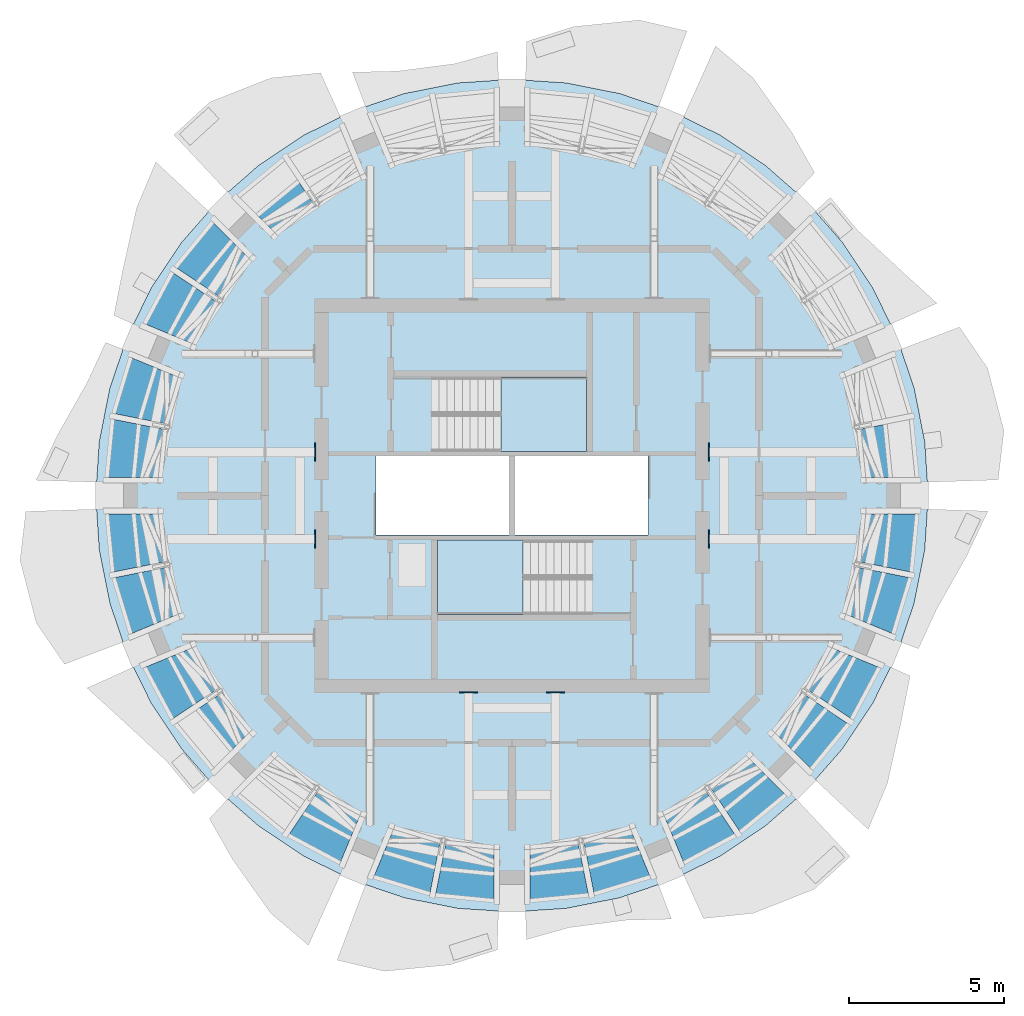
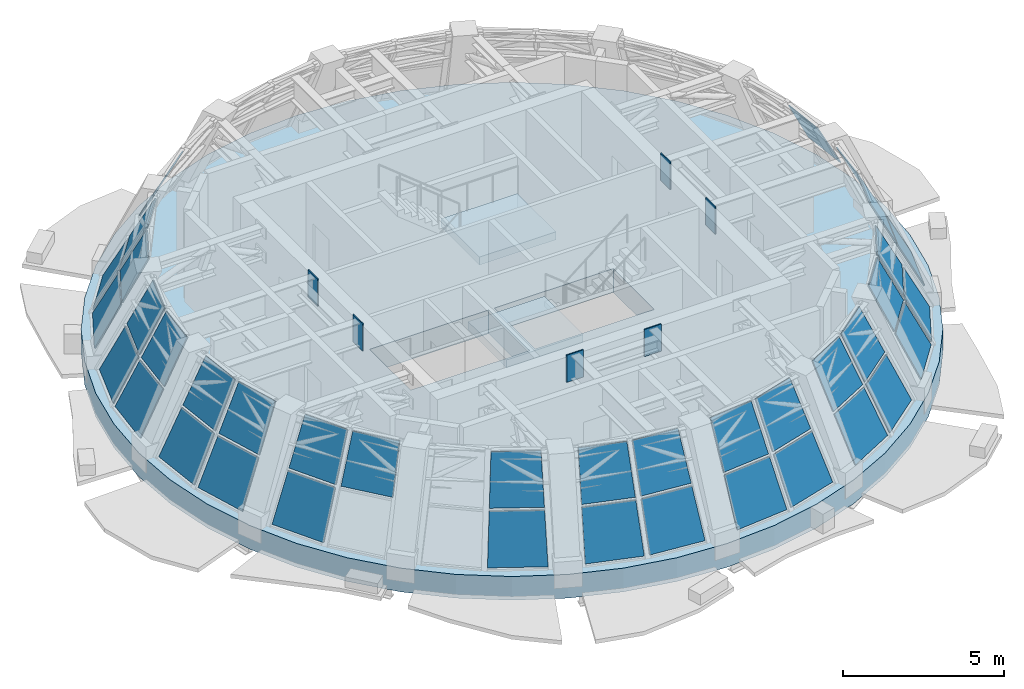
# One storey, part 7 of 12: 45 plates, 3 slabs, 14 elements without a shape of their own.
"""IFC4 building model written with IfcOpenShell, lengths in metres."""

from ifc_helpers import new_model, si_unit, direction, frame, origin, origin_2d, place, context, subcontext, project, spatial, polyline, rectangle, outline, extrude, material, layer, layer_set, type_object, element, aggregate, save


model = new_model("IFC4")

# Units and contexts
model_context = context("Model", 3, precision=1e-05, world=origin(), true_north=direction((0.0, 1.0)))
body_context = subcontext(model_context, "Body", "Model", "MODEL_VIEW")
ifc_project = project(units=[si_unit("LENGTHUNIT", "METRE"), si_unit("AREAUNIT", "SQUARE_METRE"), si_unit("VOLUMEUNIT", "CUBIC_METRE"), si_unit("PLANEANGLEUNIT", "RADIAN"), si_unit("MASSUNIT", "GRAM", prefix="KILO")], contexts=[model_context])

# Site, building, storey
site_placement = place(None, origin())
site = spatial("IfcSite", under=ifc_project, at=site_placement, CompositionType="ELEMENT")
building_placement = place(site_placement, origin())
building = spatial("IfcBuilding", under=site, at=building_placement, Name="Polderwave Tower", CompositionType="ELEMENT")
storey_placement = place(building_placement, frame((0.0, 0.0, 235.39990234375)))
storey = spatial("IfcBuildingStorey", under=building, at=storey_placement, Name="L64", CompositionType="ELEMENT", Elevation=235.39990234375)

# Plates
ifc_material_1 = material(Name="Steel S355", Category="steel")
ifc_layer_1 = layer(ifc_material_1, 0.0400390625)
ifc_layer_set_1 = layer_set([ifc_layer_1], Name="CAST-IN PLATE 40")
plate_type_1 = type_object("IfcPlateType", Name="CAST-IN PLATE 40", PredefinedType="SHEET", material=ifc_layer_set_1)
for number, where, z_axis, x_axis, name in (
    (1, (6.330078125, -1.39990234375, 2.43017578125), (0.0, 0.0, 1.0), (1.0, 0.0, 0.0), "Cast-in plate CP-DS-1-1 40"),
    (2, (6.330078125, 1.39990234375, 2.43017578125), (0.0, 0.0, 1.0), (1.0, 0.0, 0.0), "Cast-in plate CP-DS-1-2 40"),
    (3, (-6.330078125, 1.39990234375, 2.43017578125), (0.0, 0.0, 1.0), (-1.0, 0.0, 0.0), "Cast-in plate CP-DS-3-1 40"),
    (4, (-6.330078125, -1.39990234375, 2.43017578125), (0.0, 0.0, 1.0), (-1.0, 0.0, 0.0), "Cast-in plate CP-DS-3-2 40"),
    (5, (-1.39990234375, -6.330078125, 2.43017578125), (0.0, 0.0, 1.0), (0.0, -1.0, 0.0), "Cast-in plate CP-DS-4-1 40"),
    (6, (1.39990234375, -6.330078125, 2.43017578125), (0.0, 0.0, 1.0), (0.0, -1.0, 0.0), "Cast-in plate CP-DS-4-2 40"),
):
    element("IfcPlate", number, at=place(storey_placement, frame(where, z_axis=z_axis, x_axis=x_axis)), inside=storey, type_object=plate_type_1, Name=name, PredefinedType="SHEET", context=body_context, shape_type="SweptSolid", body=[
        extrude(rectangle(XDim=0.0400390625, YDim=0.60009765625, at=origin_2d()), origin(), (0.0, 0.0, 1.0), 1.030029296875),
    ])

# Curtain wall, plate
ifc_material_2 = material(Name="Aluminium 6063-T6 and glass", Category="aluminium")
curtain_wall_type = type_object("IfcCurtainWallType", Name="Crown facet glazing wall", PredefinedType="NOTDEFINED", material=ifc_material_2)
curtain_wall_1_placement = place(storey_placement, origin())
curtain_wall_1 = element("IfcCurtainWall", 7, at=curtain_wall_1_placement, inside=storey, type_object=curtain_wall_type, Name="CROWN CW6 L64 00", PredefinedType="NOTDEFINED")
ifc_material_3 = material(Name="Glass, low-e laminated double glazing", Category="glass")
ifc_layer_2 = layer(ifc_material_3, 0.0400390625)
ifc_layer_set_2 = layer_set([ifc_layer_2], Name="Crown facet glazing glass panel 40 mm")
plate_type_2 = type_object("IfcPlateType", Name="Crown facet glazing glass panel 40 mm", PredefinedType="CURTAIN_PANEL", material=ifc_layer_set_2)
plate_1_placement = place(storey_placement, frame((12.15771484375, 0.583984375, 1.739990234375), z_axis=(0.883954415034, 0.087028185763, 0.459402532671), x_axis=(-0.097991967269, 0.995187205388, 2.4151206e-05)))
plate_1 = element("IfcPlate", 8, at=plate_1_placement, type_object=plate_type_2, Name="CROWN CW6 panel 2", PredefinedType="CURTAIN_PANEL", context=body_context, shape_type="SweptSolid", body=[
    extrude(outline(polyline([(0.0, 0.0), (1.7157851025220294, 0.0), (1.635119535343941, 1.7791405389208705), (0.08051789172352956, 1.7789545992694515), (0.0, 0.0)])), origin(), (0.0, 0.0, -1.0), 0.0400390625),
])
aggregate(curtain_wall_1, [plate_1])

curtain_wall_2_placement = place(storey_placement, origin())
curtain_wall_2 = element("IfcCurtainWall", 9, at=curtain_wall_2_placement, inside=storey, type_object=curtain_wall_type, Name="CROWN CW6 L64 05", PredefinedType="NOTDEFINED")
plate_2_placement = place(storey_placement, frame((-6.85791015625, 10.097900390625, 1.739990234375), z_axis=(-0.563601634084, 0.686391961849, 0.459585979734), x_axis=(-0.772859616268, -0.634577034153, -3.5612988e-05)))
plate_2 = element("IfcPlate", 10, at=plate_2_placement, type_object=plate_type_2, Name="CROWN CW6 panel 4", PredefinedType="CURTAIN_PANEL", context=body_context, shape_type="SweptSolid", body=[
    extrude(outline(polyline([(0.0, 0.0), (1.7148839594572038, 0.0), (1.6344779456166028, 1.779165769711965), (0.08077183386171753, 1.779034703507517), (0.0, 0.0)])), origin(), (0.0, 0.0, -1.0), 0.0400390625),
])
aggregate(curtain_wall_2, [plate_2])

# Curtain wall, plates
curtain_wall_3_placement = place(storey_placement, origin())
curtain_wall_3 = element("IfcCurtainWall", 11, at=curtain_wall_3_placement, inside=storey, type_object=curtain_wall_type, Name="CROWN CW6 L64 06", PredefinedType="NOTDEFINED")
plate_3_placement = place(storey_placement, frame((-9.6201171875, 8.793701171875, 0.080078125), z_axis=(-0.686398662579, 0.563593472313, 0.459585981048), x_axis=(-0.634569207591, -0.772866042559, 3.2205409e-05)))
plate_3 = element("IfcPlate", 12, at=plate_3_placement, type_object=plate_type_2, Name="CROWN CW6 panel 1", PredefinedType="CURTAIN_PANEL", context=body_context, shape_type="SweptSolid", body=[
    extrude(outline(polyline([(0.0, 0.0), (1.884187342147213, 1.1102230246251565e-16), (1.8034184027212457, 1.7790348349818563), (0.08040891128703725, 1.7791656388283779), (0.0, 0.0)])), origin(), (0.0, 0.0, -1.0), 0.0400390625),
])
plate_4_placement = place(storey_placement, frame((-9.009765625, 8.183349609375, 1.739990234375), z_axis=(-0.686391961849, 0.563601634084, 0.459585979734), x_axis=(-0.634577034153, -0.772859616268, 3.5612988e-05)))
plate_4 = element("IfcPlate", 13, at=plate_4_placement, type_object=plate_type_2, Name="CROWN CW6 panel 2", PredefinedType="CURTAIN_PANEL", context=body_context, shape_type="SweptSolid", body=[
    extrude(outline(polyline([(0.0, 0.0), (1.7148839594572038, 0.0), (1.634112125595486, 1.779034703507517), (0.08040601384060099, 1.779165769711965), (0.0, 0.0)])), origin(), (0.0, 0.0, -1.0), 0.0400390625),
])
plate_5_placement = place(storey_placement, frame((-10.91796875, 7.184326171875, 0.080078125), z_axis=(-0.783284372409, 0.418649889511, 0.459562685553), x_axis=(-0.471380955154, -0.881929699563, -1.2107912e-05)))
plate_5 = element("IfcPlate", 14, at=plate_5_placement, type_object=plate_type_2, Name="CROWN CW6 panel 3", PredefinedType="CURTAIN_PANEL", context=body_context, shape_type="SweptSolid", body=[
    extrude(outline(polyline([(0.0, 0.0), (1.8846515357497926, 5.551115123125783e-17), (1.8039488461659687, 1.778825787119907), (0.0804014486219184, 1.779051485393799), (0.0, 0.0)])), origin(), (0.0, 0.0, -1.0), 0.0400390625),
])
plate_6_placement = place(storey_placement, frame((-10.2001953125, 6.704833984375, 1.739990234375), z_axis=(-0.783220217637, 0.41880064982, 0.459534662887), x_axis=(-0.471535084325, -0.881847302101, 5.24834e-06)))
plate_6 = element("IfcPlate", 15, at=plate_6_placement, type_object=plate_type_2, Name="CROWN CW6 panel 4", PredefinedType="CURTAIN_PANEL", context=body_context, shape_type="SweptSolid", body=[
    extrude(outline(polyline([(0.0, 0.0), (1.7153617231902898, -5.551115123125783e-17), (1.6345435757042492, 1.7790373793332153), (0.08028598851199208, 1.7790567002635866), (0.0, 0.0)])), origin(), (0.0, 0.0, -1.0), 0.0400390625),
])
aggregate(curtain_wall_3, [plate_3, plate_4, plate_5, plate_6])

curtain_wall_4_placement = place(storey_placement, origin())
curtain_wall_4 = element("IfcCurtainWall", 16, at=curtain_wall_4_placement, inside=storey, type_object=curtain_wall_type, Name="CROWN CW6 L64 07", PredefinedType="NOTDEFINED")
plate_7_placement = place(storey_placement, frame((-12.25341796875, 4.443115234375, 0.080078125), z_axis=(-0.849908343607, 0.25783398541, 0.459540469856), x_axis=(-0.290300799063, -0.956935445082, 3.064597e-06)))
plate_7 = element("IfcPlate", 17, at=plate_7_placement, type_object=plate_type_2, Name="CROWN CW6 panel 1", PredefinedType="CURTAIN_PANEL", context=body_context, shape_type="SweptSolid", body=[
    extrude(outline(polyline([(0.0, 0.0), (1.883858670992548, 2.7755575615628914e-17), (1.8034714113692176, 1.7790468336591347), (0.08033461123179575, 1.7790592796453093), (0.0, 0.0)])), origin(), (0.0, 0.0, -1.0), 0.0400390625),
])
plate_8_placement = place(storey_placement, frame((-11.4560546875, 4.113037109375, 1.739990234375), z_axis=(-0.849964812061, 0.25781805234, 0.459444958778), x_axis=(-0.290241526966, -0.956953422647, 5.3940491e-05)))
plate_8 = element("IfcPlate", 18, at=plate_8_placement, type_object=plate_type_2, Name="CROWN CW6 panel 2", PredefinedType="CURTAIN_PANEL", context=body_context, shape_type="SweptSolid", body=[
    extrude(outline(polyline([(0.0, 0.0), (1.714881137447886, -2.7755575615628914e-17), (1.6344621444287317, 1.7791296982581255), (0.08046563732093255, 1.7790533468918674), (0.0, 0.0)])), origin(), (0.0, 0.0, -1.0), 0.0400390625),
])
plate_9_placement = place(storey_placement, frame((-12.836181640625, 2.459716796875, 0.080078125), z_axis=(-0.883894891291, 0.086795959004, 0.459560967284), x_axis=(-0.097742042329, -0.995211782647, -2.9007669e-05)))
plate_9 = element("IfcPlate", 19, at=plate_9_placement, type_object=plate_type_2, Name="CROWN CW6 panel 3", PredefinedType="CURTAIN_PANEL", context=body_context, shape_type="SweptSolid", body=[
    extrude(outline(polyline([(0.0, 0.0), (1.8847674238372056, -1.3877787807814457e-17), (1.8044232634215231, 1.7788583484237588), (0.08059630178165893, 1.7790153762987813), (0.0, 0.0)])), origin(), (0.0, 0.0, -1.0), 0.0400390625),
])
plate_10_placement = place(storey_placement, frame((-11.989501953125, 2.29150390625, 1.739990234375), z_axis=(-0.883870113035, 0.087019870387, 0.459566279705), x_axis=(-0.097991962437, -0.995187205863, -2.4164632e-05)))
plate_10 = element("IfcPlate", 20, at=plate_10_placement, type_object=plate_type_2, Name="CROWN CW6 panel 4", PredefinedType="CURTAIN_PANEL", context=body_context, shape_type="SweptSolid", body=[
    extrude(outline(polyline([(0.0, 0.0), (1.7157851025210837, -1.3877787807814457e-17), (1.635243275633983, 1.7788494112783537), (0.08064163201082405, 1.779035319229905), (0.0, 0.0)])), origin(), (0.0, 0.0, -1.0), 0.0400390625),
])
aggregate(curtain_wall_4, [plate_7, plate_8, plate_9, plate_10])

curtain_wall_5_placement = place(storey_placement, origin())
curtain_wall_5 = element("IfcCurtainWall", 21, at=curtain_wall_5_placement, inside=storey, type_object=curtain_wall_type, Name="CROWN CW6 L64 08", PredefinedType="NOTDEFINED")
plate_11_placement = place(storey_placement, frame((-13.0205078125, -0.583984375, 0.080078125), z_axis=(-0.883979196046, -0.086804251602, 0.459397216864), x_axis=(0.097742044101, -0.995211782474, 2.8993647e-05)))
plate_11 = element("IfcPlate", 22, at=plate_11_placement, type_object=plate_type_2, Name="CROWN CW6 panel 1", PredefinedType="CURTAIN_PANEL", context=body_context, shape_type="SweptSolid", body=[
    extrude(outline(polyline([(0.0, 0.0), (1.88476742383816, 1.3877787807814457e-17), (1.8041472456302867, 1.7791206004409728), (0.08032028399320461, 1.778963530574836), (0.0, 0.0)])), origin(), (0.0, 0.0, -1.0), 0.0400390625),
])
plate_12_placement = place(storey_placement, frame((-12.15771484375, -0.583984375, 1.739990234375), z_axis=(-0.883954415034, -0.087028185763, 0.459402532671), x_axis=(0.097991967269, -0.995187205388, 2.4151206e-05)))
plate_12 = element("IfcPlate", 23, at=plate_12_placement, type_object=plate_type_2, Name="CROWN CW6 panel 2", PredefinedType="CURTAIN_PANEL", context=body_context, shape_type="SweptSolid", body=[
    extrude(outline(polyline([(0.0, 0.0), (1.7157851025220294, 0.0), (1.635119535343941, 1.7791405389208705), (0.08051789172352956, 1.7789545992694515), (0.0, 0.0)])), origin(), (0.0, 0.0, -1.0), 0.0400390625),
])
plate_13_placement = place(storey_placement, frame((-12.80029296875, -2.640380859375, 0.080078125), z_axis=(-0.849834146821, -0.257843989798, 0.459672056821), x_axis=(0.290327239265, -0.956927423496, -1.7367038e-05)))
plate_13 = element("IfcPlate", 24, at=plate_13_placement, type_object=plate_type_2, Name="CROWN CW6 panel 3", PredefinedType="CURTAIN_PANEL", context=body_context, shape_type="SweptSolid", body=[
    extrude(outline(polyline([(0.0, 0.0), (1.8838586696898987, -5.551115123125783e-17), (1.8035949338426587, 1.7789498352742303), (0.0804581299084255, 1.7791542042628368), (0.0, 0.0)])), origin(), (0.0, 0.0, -1.0), 0.0400390625),
])
plate_14_placement = place(storey_placement, frame((-11.95361328125, -2.471923828125, 1.739990234375), z_axis=(-0.849951494095, -0.257691708644, 0.459540467186), x_axis=(0.290142041035, -0.956983592348, -1.64901e-07)))
plate_14 = element("IfcPlate", 25, at=plate_14_placement, type_object=plate_type_2, Name="CROWN CW6 panel 4", PredefinedType="CURTAIN_PANEL", context=body_context, shape_type="SweptSolid", body=[
    extrude(outline(polyline([(0.0, 0.0), (1.7148811492663976, 0.0), (1.6344154888629905, 1.7790533572400653), (0.08025621289179957, 1.7790527502893385), (0.0, 0.0)])), origin(), (0.0, 0.0, -1.0), 0.0400390625),
])
aggregate(curtain_wall_5, [plate_11, plate_12, plate_13, plate_14])

curtain_wall_6_placement = place(storey_placement, origin())
curtain_wall_6 = element("IfcCurtainWall", 26, at=curtain_wall_6_placement, inside=storey, type_object=curtain_wall_type, Name="CROWN CW6 L64 09", PredefinedType="NOTDEFINED")
plate_15_placement = place(storey_placement, frame((-11.806396484375, -5.522216796875, 0.080078125), z_axis=(-0.783326056023, -0.418707429209, 0.459439200201), x_axis=(0.4714053119, -0.881916680819, -2.181884e-06)))
plate_15 = element("IfcPlate", 27, at=plate_15_placement, type_object=plate_type_2, Name="CROWN CW6 panel 1", PredefinedType="CURTAIN_PANEL", context=body_context, shape_type="SweptSolid", body=[
    extrude(outline(polyline([(0.0, 0.0), (1.8846515363826488, 0.0), (1.8041349982427501, 1.7789525519547347), (0.08058760254317152, 1.7789436884205614), (0.0, 0.0)])), origin(), (0.0, 0.0, -1.0), 0.0400390625),
])
plate_16_placement = place(storey_placement, frame((-11.009033203125, -5.192138671875, 1.739990234375), z_axis=(-0.783289613539, -0.418834323299, 0.459385666895), x_axis=(0.471532714121, -0.881848569483, -3.856099e-06)))
plate_16 = element("IfcPlate", 28, at=plate_16_placement, type_object=plate_type_2, Name="CROWN CW6 panel 2", PredefinedType="CURTAIN_PANEL", context=body_context, shape_type="SweptSolid", body=[
    extrude(outline(polyline([(0.0, 0.0), (1.7153617232417329, 0.0), (1.6349606159429435, 1.7791746229543697), (0.08091832481942067, 1.7788855696995238), (0.0, 0.0)])), origin(), (0.0, 0.0, -1.0), 0.0400390625),
])
plate_17_placement = place(storey_placement, frame((-10.097900390625, -6.85791015625, 1.739990234375), z_axis=(-0.686391961849, -0.563601634084, 0.459585979734), x_axis=(0.634577034153, -0.772859616268, -3.5612988e-05)))
plate_17 = element("IfcPlate", 29, at=plate_17_placement, type_object=plate_type_2, Name="CROWN CW6 panel 4", PredefinedType="CURTAIN_PANEL", context=body_context, shape_type="SweptSolid", body=[
    extrude(outline(polyline([(0.0, 0.0), (1.7148839594572038, 0.0), (1.6344779456166028, 1.779165769711965), (0.08077183386171753, 1.779034703507517), (0.0, 0.0)])), origin(), (0.0, 0.0, -1.0), 0.0400390625),
])
aggregate(curtain_wall_6, [plate_15, plate_16, plate_17])

curtain_wall_7_placement = place(storey_placement, origin())
curtain_wall_7 = element("IfcCurtainWall", 30, at=curtain_wall_7_placement, inside=storey, type_object=curtain_wall_type, Name="CROWN CW6 L64 10", PredefinedType="NOTDEFINED")
plate_18_placement = place(storey_placement, frame((-7.184326171875, -10.91796875, 0.080078125), z_axis=(-0.418649889511, -0.783284372409, 0.459562685553), x_axis=(0.881929699563, -0.471380955154, -1.2107912e-05)))
plate_18 = element("IfcPlate", 31, at=plate_18_placement, type_object=plate_type_2, Name="CROWN CW6 panel 3", PredefinedType="CURTAIN_PANEL", context=body_context, shape_type="SweptSolid", body=[
    extrude(outline(polyline([(0.0, 0.0), (1.8846515357497926, 5.551115123125783e-17), (1.8039488461659687, 1.778825787119907), (0.0804014486219184, 1.779051485393799), (0.0, 0.0)])), origin(), (0.0, 0.0, -1.0), 0.0400390625),
])
plate_19_placement = place(storey_placement, frame((-6.704833984375, -10.2001953125, 1.739990234375), z_axis=(-0.41880064982, -0.783220217637, 0.459534662887), x_axis=(0.881847302101, -0.471535084325, 5.24834e-06)))
plate_19 = element("IfcPlate", 32, at=plate_19_placement, type_object=plate_type_2, Name="CROWN CW6 panel 4", PredefinedType="CURTAIN_PANEL", context=body_context, shape_type="SweptSolid", body=[
    extrude(outline(polyline([(0.0, 0.0), (1.7153617231902898, -5.551115123125783e-17), (1.6345435757042492, 1.7790373793332153), (0.08028598851199208, 1.7790567002635866), (0.0, 0.0)])), origin(), (0.0, 0.0, -1.0), 0.0400390625),
])
aggregate(curtain_wall_7, [plate_18, plate_19])

curtain_wall_8_placement = place(storey_placement, origin())
curtain_wall_8 = element("IfcCurtainWall", 33, at=curtain_wall_8_placement, inside=storey, type_object=curtain_wall_type, Name="CROWN CW6 L64 11", PredefinedType="NOTDEFINED")
plate_20_placement = place(storey_placement, frame((-4.443115234375, -12.25341796875, 0.080078125), z_axis=(-0.25783398541, -0.849908343607, 0.459540469856), x_axis=(0.956935445082, -0.290300799063, 3.064597e-06)))
plate_20 = element("IfcPlate", 34, at=plate_20_placement, type_object=plate_type_2, Name="CROWN CW6 panel 1", PredefinedType="CURTAIN_PANEL", context=body_context, shape_type="SweptSolid", body=[
    extrude(outline(polyline([(0.0, 0.0), (1.883858670992548, 2.7755575615628914e-17), (1.8034714113692176, 1.7790468336591347), (0.08033461123179575, 1.7790592796453093), (0.0, 0.0)])), origin(), (0.0, 0.0, -1.0), 0.0400390625),
])
plate_21_placement = place(storey_placement, frame((-4.113037109375, -11.4560546875, 1.739990234375), z_axis=(-0.25781805234, -0.849964812061, 0.459444958778), x_axis=(0.956953422647, -0.290241526966, 5.3940491e-05)))
plate_21 = element("IfcPlate", 35, at=plate_21_placement, type_object=plate_type_2, Name="CROWN CW6 panel 2", PredefinedType="CURTAIN_PANEL", context=body_context, shape_type="SweptSolid", body=[
    extrude(outline(polyline([(0.0, 0.0), (1.714881137447886, -2.7755575615628914e-17), (1.6344621444287317, 1.7791296982581255), (0.08046563732093255, 1.7790533468918674), (0.0, 0.0)])), origin(), (0.0, 0.0, -1.0), 0.0400390625),
])
plate_22_placement = place(storey_placement, frame((-2.459716796875, -12.836181640625, 0.080078125), z_axis=(-0.086795959004, -0.883894891291, 0.459560967284), x_axis=(0.995211782647, -0.097742042329, -2.9007669e-05)))
plate_22 = element("IfcPlate", 36, at=plate_22_placement, type_object=plate_type_2, Name="CROWN CW6 panel 3", PredefinedType="CURTAIN_PANEL", context=body_context, shape_type="SweptSolid", body=[
    extrude(outline(polyline([(0.0, 0.0), (1.8847674238372056, -1.3877787807814457e-17), (1.8044232634215231, 1.7788583484237588), (0.08059630178165893, 1.7790153762987813), (0.0, 0.0)])), origin(), (0.0, 0.0, -1.0), 0.0400390625),
])
plate_23_placement = place(storey_placement, frame((-2.29150390625, -11.989501953125, 1.739990234375), z_axis=(-0.087019870387, -0.883870113035, 0.459566279705), x_axis=(0.995187205863, -0.097991962437, -2.4164632e-05)))
plate_23 = element("IfcPlate", 37, at=plate_23_placement, type_object=plate_type_2, Name="CROWN CW6 panel 4", PredefinedType="CURTAIN_PANEL", context=body_context, shape_type="SweptSolid", body=[
    extrude(outline(polyline([(0.0, 0.0), (1.7157851025210837, -1.3877787807814457e-17), (1.635243275633983, 1.7788494112783537), (0.08064163201082405, 1.779035319229905), (0.0, 0.0)])), origin(), (0.0, 0.0, -1.0), 0.0400390625),
])
aggregate(curtain_wall_8, [plate_20, plate_21, plate_22, plate_23])

curtain_wall_9_placement = place(storey_placement, origin())
curtain_wall_9 = element("IfcCurtainWall", 38, at=curtain_wall_9_placement, inside=storey, type_object=curtain_wall_type, Name="CROWN CW6 L64 12", PredefinedType="NOTDEFINED")
plate_24_placement = place(storey_placement, frame((0.583984375, -13.0205078125, 0.080078125), z_axis=(0.086804251602, -0.883979196046, 0.459397216864), x_axis=(0.995211782474, 0.097742044101, 2.8993647e-05)))
plate_24 = element("IfcPlate", 39, at=plate_24_placement, type_object=plate_type_2, Name="CROWN CW6 panel 1", PredefinedType="CURTAIN_PANEL", context=body_context, shape_type="SweptSolid", body=[
    extrude(outline(polyline([(0.0, 0.0), (1.88476742383816, 1.3877787807814457e-17), (1.8041472456302867, 1.7791206004409728), (0.08032028399320461, 1.778963530574836), (0.0, 0.0)])), origin(), (0.0, 0.0, -1.0), 0.0400390625),
])
plate_25_placement = place(storey_placement, frame((0.583984375, -12.15771484375, 1.739990234375), z_axis=(0.087028185763, -0.883954415034, 0.459402532671), x_axis=(0.995187205388, 0.097991967269, 2.4151206e-05)))
plate_25 = element("IfcPlate", 40, at=plate_25_placement, type_object=plate_type_2, Name="CROWN CW6 panel 2", PredefinedType="CURTAIN_PANEL", context=body_context, shape_type="SweptSolid", body=[
    extrude(outline(polyline([(0.0, 0.0), (1.7157851025220294, 0.0), (1.635119535343941, 1.7791405389208705), (0.08051789172352956, 1.7789545992694515), (0.0, 0.0)])), origin(), (0.0, 0.0, -1.0), 0.0400390625),
])
plate_26_placement = place(storey_placement, frame((2.640380859375, -12.80029296875, 0.080078125), z_axis=(0.257843989798, -0.849834146821, 0.459672056821), x_axis=(0.956927423496, 0.290327239265, -1.7367038e-05)))
plate_26 = element("IfcPlate", 41, at=plate_26_placement, type_object=plate_type_2, Name="CROWN CW6 panel 3", PredefinedType="CURTAIN_PANEL", context=body_context, shape_type="SweptSolid", body=[
    extrude(outline(polyline([(0.0, 0.0), (1.8838586696898987, -5.551115123125783e-17), (1.8035949338426587, 1.7789498352742303), (0.0804581299084255, 1.7791542042628368), (0.0, 0.0)])), origin(), (0.0, 0.0, -1.0), 0.0400390625),
])
plate_27_placement = place(storey_placement, frame((2.471923828125, -11.95361328125, 1.739990234375), z_axis=(0.257691708644, -0.849951494095, 0.459540467186), x_axis=(0.956983592348, 0.290142041035, -1.64901e-07)))
plate_27 = element("IfcPlate", 42, at=plate_27_placement, type_object=plate_type_2, Name="CROWN CW6 panel 4", PredefinedType="CURTAIN_PANEL", context=body_context, shape_type="SweptSolid", body=[
    extrude(outline(polyline([(0.0, 0.0), (1.7148811492663976, 0.0), (1.6344154888629905, 1.7790533572400653), (0.08025621289179957, 1.7790527502893385), (0.0, 0.0)])), origin(), (0.0, 0.0, -1.0), 0.0400390625),
])
aggregate(curtain_wall_9, [plate_24, plate_25, plate_26, plate_27])

curtain_wall_10_placement = place(storey_placement, origin())
curtain_wall_10 = element("IfcCurtainWall", 43, at=curtain_wall_10_placement, inside=storey, type_object=curtain_wall_type, Name="CROWN CW6 L64 13", PredefinedType="NOTDEFINED")
plate_28_placement = place(storey_placement, frame((5.522216796875, -11.806396484375, 0.080078125), z_axis=(0.418707429209, -0.783326056023, 0.459439200201), x_axis=(0.881916680819, 0.4714053119, -2.181884e-06)))
plate_28 = element("IfcPlate", 44, at=plate_28_placement, type_object=plate_type_2, Name="CROWN CW6 panel 1", PredefinedType="CURTAIN_PANEL", context=body_context, shape_type="SweptSolid", body=[
    extrude(outline(polyline([(0.0, 0.0), (1.8846515363826488, 0.0), (1.8041349982427501, 1.7789525519547347), (0.08058760254317152, 1.7789436884205614), (0.0, 0.0)])), origin(), (0.0, 0.0, -1.0), 0.0400390625),
])
plate_29_placement = place(storey_placement, frame((5.192138671875, -11.009033203125, 1.739990234375), z_axis=(0.418834323299, -0.783289613539, 0.459385666895), x_axis=(0.881848569483, 0.471532714121, -3.856099e-06)))
plate_29 = element("IfcPlate", 45, at=plate_29_placement, type_object=plate_type_2, Name="CROWN CW6 panel 2", PredefinedType="CURTAIN_PANEL", context=body_context, shape_type="SweptSolid", body=[
    extrude(outline(polyline([(0.0, 0.0), (1.7153617232417329, 0.0), (1.6349606159429435, 1.7791746229543697), (0.08091832481942067, 1.7788855696995238), (0.0, 0.0)])), origin(), (0.0, 0.0, -1.0), 0.0400390625),
])
plate_30_placement = place(storey_placement, frame((7.33740234375, -10.815673828125, 0.080078125), z_axis=(0.563593472313, -0.686398662579, 0.459585981048), x_axis=(0.772866042559, 0.634569207591, -3.2205409e-05)))
plate_30 = element("IfcPlate", 46, at=plate_30_placement, type_object=plate_type_2, Name="CROWN CW6 panel 3", PredefinedType="CURTAIN_PANEL", context=body_context, shape_type="SweptSolid", body=[
    extrude(outline(polyline([(0.0, 0.0), (1.884187342147213, -1.1102230246251565e-16), (1.8037784308601756, 1.7791656388283776), (0.08076893942596736, 1.7790348349818563), (0.0, 0.0)])), origin(), (0.0, 0.0, -1.0), 0.0400390625),
])
plate_31_placement = place(storey_placement, frame((6.85791015625, -10.097900390625, 1.739990234375), z_axis=(0.563601634084, -0.686391961849, 0.459585979734), x_axis=(0.772859616268, 0.634577034153, -3.5612988e-05)))
plate_31 = element("IfcPlate", 47, at=plate_31_placement, type_object=plate_type_2, Name="CROWN CW6 panel 4", PredefinedType="CURTAIN_PANEL", context=body_context, shape_type="SweptSolid", body=[
    extrude(outline(polyline([(0.0, 0.0), (1.7148839594572038, 0.0), (1.6344779456166028, 1.779165769711965), (0.08077183386171753, 1.779034703507517), (0.0, 0.0)])), origin(), (0.0, 0.0, -1.0), 0.0400390625),
])
aggregate(curtain_wall_10, [plate_28, plate_29, plate_30, plate_31])

curtain_wall_11_placement = place(storey_placement, origin())
curtain_wall_11 = element("IfcCurtainWall", 48, at=curtain_wall_11_placement, inside=storey, type_object=curtain_wall_type, Name="CROWN CW6 L64 14", PredefinedType="NOTDEFINED")
plate_32_placement = place(storey_placement, frame((9.6201171875, -8.793701171875, 0.080078125), z_axis=(0.686398662579, -0.563593472313, 0.459585981048), x_axis=(0.634569207591, 0.772866042559, 3.2205409e-05)))
plate_32 = element("IfcPlate", 49, at=plate_32_placement, type_object=plate_type_2, Name="CROWN CW6 panel 1", PredefinedType="CURTAIN_PANEL", context=body_context, shape_type="SweptSolid", body=[
    extrude(outline(polyline([(0.0, 0.0), (1.884187342147213, 1.1102230246251565e-16), (1.8034184027212457, 1.7790348349818563), (0.08040891128703725, 1.7791656388283779), (0.0, 0.0)])), origin(), (0.0, 0.0, -1.0), 0.0400390625),
])
plate_33_placement = place(storey_placement, frame((9.009765625, -8.183349609375, 1.739990234375), z_axis=(0.686391961849, -0.563601634084, 0.459585979734), x_axis=(0.634577034153, 0.772859616268, 3.5612988e-05)))
plate_33 = element("IfcPlate", 50, at=plate_33_placement, type_object=plate_type_2, Name="CROWN CW6 panel 2", PredefinedType="CURTAIN_PANEL", context=body_context, shape_type="SweptSolid", body=[
    extrude(outline(polyline([(0.0, 0.0), (1.7148839594572038, 0.0), (1.634112125595486, 1.779034703507517), (0.08040601384060099, 1.779165769711965), (0.0, 0.0)])), origin(), (0.0, 0.0, -1.0), 0.0400390625),
])
plate_34_placement = place(storey_placement, frame((10.91796875, -7.184326171875, 0.080078125), z_axis=(0.783284372409, -0.418649889511, 0.459562685553), x_axis=(0.471380955154, 0.881929699563, -1.2107912e-05)))
plate_34 = element("IfcPlate", 51, at=plate_34_placement, type_object=plate_type_2, Name="CROWN CW6 panel 3", PredefinedType="CURTAIN_PANEL", context=body_context, shape_type="SweptSolid", body=[
    extrude(outline(polyline([(0.0, 0.0), (1.8846515357497926, 5.551115123125783e-17), (1.8039488461659687, 1.778825787119907), (0.0804014486219184, 1.779051485393799), (0.0, 0.0)])), origin(), (0.0, 0.0, -1.0), 0.0400390625),
])
plate_35_placement = place(storey_placement, frame((10.2001953125, -6.704833984375, 1.739990234375), z_axis=(0.783220217637, -0.41880064982, 0.459534662887), x_axis=(0.471535084325, 0.881847302101, 5.24834e-06)))
plate_35 = element("IfcPlate", 52, at=plate_35_placement, type_object=plate_type_2, Name="CROWN CW6 panel 4", PredefinedType="CURTAIN_PANEL", context=body_context, shape_type="SweptSolid", body=[
    extrude(outline(polyline([(0.0, 0.0), (1.7153617231902898, -5.551115123125783e-17), (1.6345435757042492, 1.7790373793332153), (0.08028598851199208, 1.7790567002635866), (0.0, 0.0)])), origin(), (0.0, 0.0, -1.0), 0.0400390625),
])
aggregate(curtain_wall_11, [plate_32, plate_33, plate_34, plate_35])

curtain_wall_12_placement = place(storey_placement, origin())
curtain_wall_12 = element("IfcCurtainWall", 53, at=curtain_wall_12_placement, inside=storey, type_object=curtain_wall_type, Name="CROWN CW6 L64 15", PredefinedType="NOTDEFINED")
plate_36_placement = place(storey_placement, frame((12.25341796875, -4.443115234375, 0.080078125), z_axis=(0.849908343607, -0.25783398541, 0.459540469856), x_axis=(0.290300799063, 0.956935445082, 3.064597e-06)))
plate_36 = element("IfcPlate", 54, at=plate_36_placement, type_object=plate_type_2, Name="CROWN CW6 panel 1", PredefinedType="CURTAIN_PANEL", context=body_context, shape_type="SweptSolid", body=[
    extrude(outline(polyline([(0.0, 0.0), (1.883858670992548, 2.7755575615628914e-17), (1.8034714113692176, 1.7790468336591347), (0.08033461123179575, 1.7790592796453093), (0.0, 0.0)])), origin(), (0.0, 0.0, -1.0), 0.0400390625),
])
plate_37_placement = place(storey_placement, frame((11.4560546875, -4.113037109375, 1.739990234375), z_axis=(0.849964812061, -0.25781805234, 0.459444958778), x_axis=(0.290241526966, 0.956953422647, 5.3940491e-05)))
plate_37 = element("IfcPlate", 55, at=plate_37_placement, type_object=plate_type_2, Name="CROWN CW6 panel 2", PredefinedType="CURTAIN_PANEL", context=body_context, shape_type="SweptSolid", body=[
    extrude(outline(polyline([(0.0, 0.0), (1.714881137447886, -2.7755575615628914e-17), (1.6344621444287317, 1.7791296982581255), (0.08046563732093255, 1.7790533468918674), (0.0, 0.0)])), origin(), (0.0, 0.0, -1.0), 0.0400390625),
])
plate_38_placement = place(storey_placement, frame((12.836181640625, -2.459716796875, 0.080078125), z_axis=(0.883894891291, -0.086795959004, 0.459560967284), x_axis=(0.097742042329, 0.995211782647, -2.9007669e-05)))
plate_38 = element("IfcPlate", 56, at=plate_38_placement, type_object=plate_type_2, Name="CROWN CW6 panel 3", PredefinedType="CURTAIN_PANEL", context=body_context, shape_type="SweptSolid", body=[
    extrude(outline(polyline([(0.0, 0.0), (1.8847674238372056, -1.3877787807814457e-17), (1.8044232634215231, 1.7788583484237588), (0.08059630178165893, 1.7790153762987813), (0.0, 0.0)])), origin(), (0.0, 0.0, -1.0), 0.0400390625),
])
plate_39_placement = place(storey_placement, frame((11.989501953125, -2.29150390625, 1.739990234375), z_axis=(0.883870113035, -0.087019870387, 0.459566279705), x_axis=(0.097991962437, 0.995187205863, -2.4164632e-05)))
plate_39 = element("IfcPlate", 57, at=plate_39_placement, type_object=plate_type_2, Name="CROWN CW6 panel 4", PredefinedType="CURTAIN_PANEL", context=body_context, shape_type="SweptSolid", body=[
    extrude(outline(polyline([(0.0, 0.0), (1.7157851025210837, -1.3877787807814457e-17), (1.635243275633983, 1.7788494112783537), (0.08064163201082405, 1.779035319229905), (0.0, 0.0)])), origin(), (0.0, 0.0, -1.0), 0.0400390625),
])
aggregate(curtain_wall_12, [plate_36, plate_37, plate_38, plate_39])

# Slab
ifc_material_4 = material(Name="Concrete C60/75", Category="concrete")
ifc_layer_3 = layer(ifc_material_4, 0.89990234375)
ifc_layer_set_3 = layer_set([ifc_layer_3], Name="HAT SLAB 900 C60/75")
slab_type_1 = type_object("IfcSlabType", Name="HAT SLAB 900 C60/75", PredefinedType="FLOOR", material=ifc_layer_set_3)
slab_1_placement = place(storey_placement, frame((0.0, 0.0, -0.89990234375)))
element("IfcSlab", 58, at=slab_1_placement, inside=storey, type_object=slab_type_1, Name="ST-SLAB-L64", PredefinedType="FLOOR", context=body_context, shape_type="SweptSolid", body=[
    extrude(outline(polyline([(13.39990234375, 0.0), (13.285400390625, 1.7490234375), (12.943359375, 3.46826171875), (12.3798828125, 5.1279296875), (11.604736328125, 6.699951171875), (10.630859375, 8.157470703125), (9.47509765625, 9.47509765625), (8.157470703125, 10.630859375), (6.699951171875, 11.604736328125), (5.1279296875, 12.3798828125), (3.46826171875, 12.943359375), (1.7490234375, 13.285400390625), (0.0, 13.39990234375), (-1.7490234375, 13.285400390625), (-3.46826171875, 12.943359375), (-5.1279296875, 12.3798828125), (-6.699951171875, 11.604736328125), (-8.157470703125, 10.630859375), (-9.47509765625, 9.47509765625), (-10.630859375, 8.157470703125), (-11.604736328125, 6.699951171875), (-12.3798828125, 5.1279296875), (-12.943359375, 3.46826171875), (-13.285400390625, 1.7490234375), (-13.39990234375, 0.0), (-13.285400390625, -1.7490234375), (-12.943359375, -3.46826171875), (-12.3798828125, -5.1279296875), (-11.604736328125, -6.699951171875), (-10.630859375, -8.157470703125), (-9.47509765625, -9.47509765625), (-8.157470703125, -10.630859375), (-6.699951171875, -11.604736328125), (-5.1279296875, -12.3798828125), (-3.46826171875, -12.943359375), (-1.7490234375, -13.285400390625), (0.0, -13.39990234375), (1.7490234375, -13.285400390625), (3.46826171875, -12.943359375), (5.1279296875, -12.3798828125), (6.699951171875, -11.604736328125), (8.157470703125, -10.630859375), (9.47509765625, -9.47509765625), (10.630859375, -8.157470703125), (11.604736328125, -6.699951171875), (12.3798828125, -5.1279296875), (12.943359375, -3.46826171875), (13.285400390625, -1.7490234375), (13.39990234375, 0.0)]), holes=[polyline([(-4.37353515625, -1.2744140625), (-0.1005859375, -1.2744140625), (-0.1005859375, 1.2744140625), (-4.37353515625, 1.2744140625), (-4.37353515625, -1.2744140625)]), polyline([(0.1005859375, -1.2744140625), (4.37353515625, -1.2744140625), (4.37353515625, 1.2744140625), (0.1005859375, 1.2744140625), (0.1005859375, -1.2744140625)])]), origin(), (0.0, 0.0, 1.0), 0.89990234375),
])

# Stair, slab
ifc_material_5 = material(Name="Concrete C40/50", Category="concrete")
stair_type = type_object("IfcStairType", Name="Exit stair 1200 x 20 risers", PredefinedType="HALF_TURN_STAIR", material=ifc_material_5)
stair_1_placement = place(storey_placement, origin())
stair_1 = element("IfcStair", 59, at=stair_1_placement, inside=storey, type_object=stair_type, Name="L64 Exit stair S1", PredefinedType="HALF_TURN_STAIR")
ifc_layer_4 = layer(ifc_material_5, 0.300048828125)
ifc_layer_set_4 = layer_set([ifc_layer_4], Name="Stair landing 300")
slab_type_2 = type_object("IfcSlabType", Name="Stair landing 300", PredefinedType="LANDING", material=ifc_layer_set_4)
slab_2_placement = place(storey_placement, frame((0.0, 0.0, 1.7001953125)))
slab_2 = element("IfcSlab", 60, at=slab_2_placement, type_object=slab_type_2, Name="ST-S1 landing 1", PredefinedType="LANDING", context=body_context, shape_type="SweptSolid", body=[
    extrude(outline(polyline([(-0.35009765625, 1.425048828125), (2.39990234375, 1.425048828125), (2.39990234375, 3.824951171875), (-0.35009765625, 3.824951171875), (-0.35009765625, 1.425048828125)])), origin(), (0.0, 0.0, 1.0), 0.2998046875),
])
aggregate(stair_1, [slab_2])

stair_2_placement = place(storey_placement, origin())
stair_2 = element("IfcStair", 61, at=stair_2_placement, inside=storey, type_object=stair_type, Name="L64 Exit stair S2", PredefinedType="HALF_TURN_STAIR")
slab_3_placement = place(storey_placement, frame((0.0, 0.0, 1.7001953125)))
slab_3 = element("IfcSlab", 62, at=slab_3_placement, type_object=slab_type_2, Name="ST-S2 landing 1", PredefinedType="LANDING", context=body_context, shape_type="SweptSolid", body=[
    extrude(outline(polyline([(0.35009765625, -1.425048828125), (-2.39990234375, -1.425048828125), (-2.39990234375, -3.824951171875), (0.35009765625, -3.824951171875), (0.35009765625, -1.425048828125)])), origin(), (0.0, 0.0, 1.0), 0.2998046875),
])
aggregate(stair_2, [slab_3])

save(model, "model.ifc")
